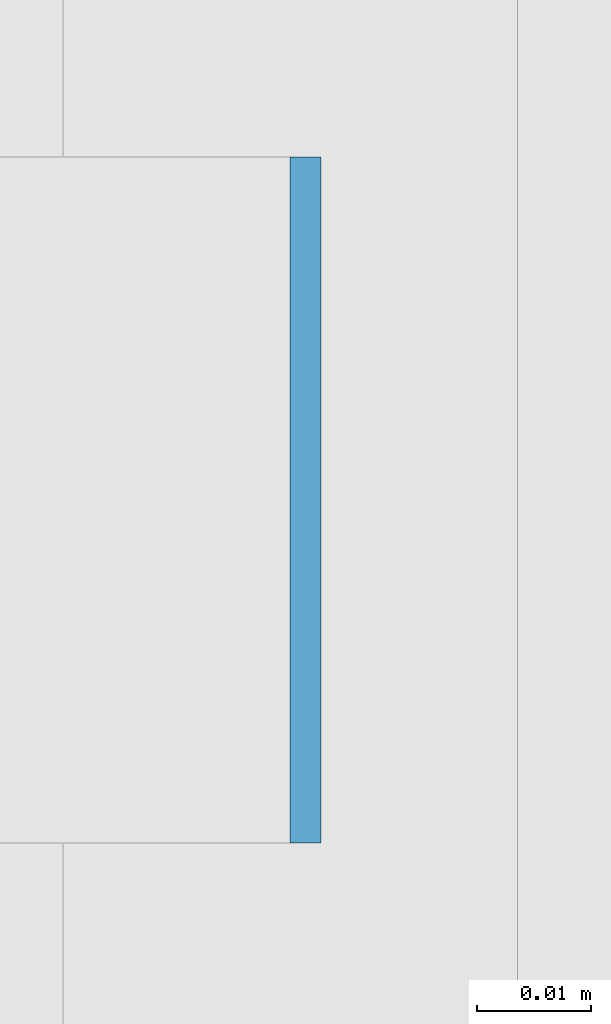
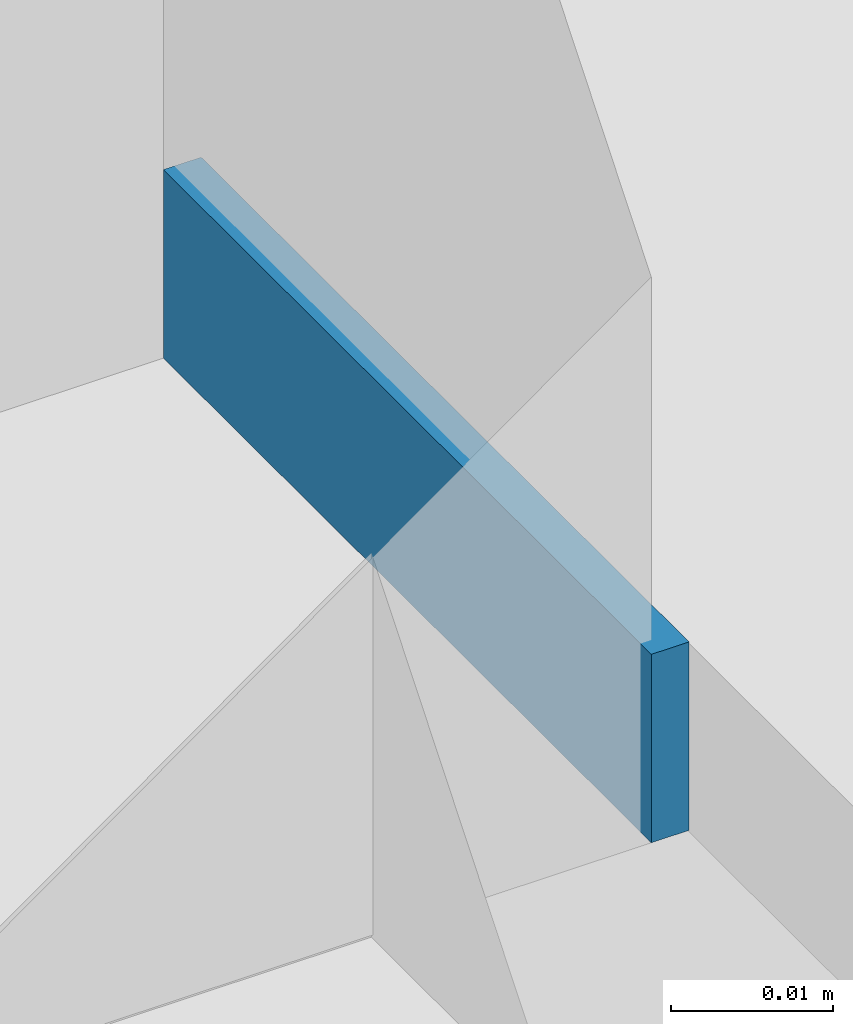
# One storey, part 422 of 646: 1 discrete accessory.
"""IFC4 building model written with IfcOpenShell, lengths in metres."""

import ifcopenshell
import ifcopenshell.guid

model = None  # the IFC model being written
_history = None  # IfcOwnerHistory: only IFC2X3 demands one
_inside = {}  # id of a spatial element -> (the spatial element, [elements in it])
_under = {}  # id of a project, library or spatial element -> (it, [spatial elements below it])
_declared = {}  # id of a project -> (the project, [libraries it declares])
_typed = {}  # id of a type object -> (the type object, [elements of that type])
_made_of = {}  # id of a material, layer set ... -> (it, [elements and type objects made of it])


def new_model(schema):
    """Start an empty IFC model of exactly this schema.

    Asked for "IFC4X3", IfcOpenShell would pick the latest addendum, in which some entities
    have other attributes; the version numbers below select the first issue.
    IFC2X3 requires an IfcOwnerHistory on every rooted entity: one is made here for all.
    """
    global model, _history
    if schema == "IFC4X3":
        model = ifcopenshell.file(schema_version=(4, 3, 0, 0))
    else:
        model = ifcopenshell.file(schema=schema)
    _inside.clear()
    _under.clear()
    _declared.clear()
    _typed.clear()
    _made_of.clear()
    _history = None
    if model.schema == "IFC2X3":
        org = make("IfcOrganization", Name="unknown")
        user = make(
            "IfcPersonAndOrganization",
            ThePerson=make("IfcPerson", FamilyName="unknown"),
            TheOrganization=org,
        )
        app = make(
            "IfcApplication",
            ApplicationDeveloper=org,
            Version="unknown",
            ApplicationFullName="unknown",
            ApplicationIdentifier="unknown",
        )
        _history = make(
            "IfcOwnerHistory",
            OwningUser=user,
            OwningApplication=app,
            ChangeAction="ADDED",
            CreationDate=0,
        )
    return model


def make(cls, **values):
    """One entity of the class cls with the attributes given. An attribute that is None is left unset."""
    return model.create_entity(
        cls, **{name: value for name, value in values.items() if value is not None}
    )


def rooted(cls, **values):
    """An entity with a GlobalId (a new one), such as an element, a storey or a relation."""
    return make(cls, GlobalId=ifcopenshell.guid.new(), OwnerHistory=_history, **values)


def si_unit(unit_type, name, prefix=None):
    """IfcSIUnit, for example si_unit("LENGTHUNIT", "METRE", prefix="MILLI")."""
    return make("IfcSIUnit", UnitType=unit_type, Prefix=prefix, Name=name)


def assignment(units):
    """IfcUnitAssignment: the units of a project."""
    return None if units is None else make("IfcUnitAssignment", Units=units)


def point(xyz):
    """IfcCartesianPoint."""
    return None if xyz is None else make("IfcCartesianPoint", Coordinates=xyz)


def direction(xyz):
    """IfcDirection."""
    return None if xyz is None else make("IfcDirection", DirectionRatios=xyz)


def frame(location, z_axis=None, x_axis=None):
    """IfcAxis2Placement3D, a coordinate frame: its origin and axes. An axis left out is left unset."""
    return make(
        "IfcAxis2Placement3D",
        Location=point(location),
        Axis=direction(z_axis),
        RefDirection=direction(x_axis),
    )


def frame_2d(location, x_axis=None):
    """IfcAxis2Placement2D, a coordinate frame in the plane: its origin and x axis."""
    return make(
        "IfcAxis2Placement2D", Location=point(location), RefDirection=direction(x_axis)
    )


def origin():
    """The frame at (0, 0, 0) with its axes left unset."""
    return frame((0.0, 0.0, 0.0))


def origin_2d():
    """The frame at (0, 0) in the plane with its x axis left unset."""
    return frame_2d((0.0, 0.0))


def place(relative_to, where):
    """IfcLocalPlacement: puts the frame where relative to a parent placement (None: the world)."""
    return make(
        "IfcLocalPlacement", PlacementRelTo=relative_to, RelativePlacement=where
    )


def context(
    kind, dimensions, precision=None, world=None, true_north=None, identifier=None
):
    """IfcGeometricRepresentationContext, for example the 3D "Model" context."""
    return make(
        "IfcGeometricRepresentationContext",
        ContextIdentifier=identifier,
        ContextType=kind,
        CoordinateSpaceDimension=dimensions,
        Precision=precision,
        WorldCoordinateSystem=world,
        TrueNorth=true_north,
    )


def subcontext(parent, identifier, kind, view, scale=None):
    """IfcGeometricRepresentationSubContext, for example "Body" below "Model"."""
    return make(
        "IfcGeometricRepresentationSubContext",
        ContextIdentifier=identifier,
        ContextType=kind,
        ParentContext=parent,
        TargetScale=scale,
        TargetView=view,
    )


def project(units=None, contexts=None):
    """IfcProject with its units and contexts."""
    return rooted(
        "IfcProject",
        Name="project",
        RepresentationContexts=contexts,
        UnitsInContext=assignment(units),
    )


def spatial(cls, under=None, at=None, **own):
    """A site, building, storey or space (cls), placed at a placement, below another one or the project."""
    s = rooted(cls, ObjectPlacement=at, **own)
    if under is not None:
        _under.setdefault(under.id(), (under, []))[1].append(s)
    return s


def profile(cls, at=None, kind="AREA", **sizes):
    """A parametric profile (cls). Its sizes go by their IFC names, for example OverallWidth=200.0."""
    return make(cls, ProfileType=kind, Position=at, **sizes)


def rectangle(**sizes):
    """IfcRectangleProfileDef."""
    return profile("IfcRectangleProfileDef", **sizes)


def extrude(swept, where, along, depth):
    """IfcExtrudedAreaSolid: the profile swept, set in the frame where, extruded along a direction by depth."""
    return make(
        "IfcExtrudedAreaSolid",
        SweptArea=swept,
        Position=where,
        ExtrudedDirection=direction(along),
        Depth=depth,
    )


def shape(context_of_items, identifier, shape_type, items):
    """IfcShapeRepresentation: the items that make up one representation, for example the "Body"."""
    return make(
        "IfcShapeRepresentation",
        ContextOfItems=context_of_items,
        RepresentationIdentifier=identifier,
        RepresentationType=shape_type,
        Items=items,
    )


def material(Name=None, Category=None):
    """IfcMaterial."""
    return make("IfcMaterial", Name=Name, Category=Category)


def made_of(thing, what):
    """Note that an element or type object is made of a material, layer set ...; save() writes the relation."""
    if what is not None:
        _made_of.setdefault(what.id(), (what, []))[1].append(thing)
    return thing


def type_object(cls, material=None, **own):
    """A type object (cls), such as IfcWallType, which elements share."""
    return made_of(rooted(cls, **own), material)


def element(
    cls,
    number,
    at=None,
    inside=None,
    cuts=None,
    type_object=None,
    material=None,
    context=None,
    identifier="Body",
    shape_type=None,
    held_by="IfcProductDefinitionShape",
    body=None,
    shapes=None,
    **own,
):
    """One element of the class cls, such as IfcWall. Its Tag is "e" and its number.

    at: its placement. inside: the storey or other place that contains it. cuts: it is an
    opening in that element (IfcRelVoidsElement). A single representation is given by context,
    identifier, shape_type and body (its items); several are given by shapes. held_by: the class
    of the entity that holds the representations. save() writes the other relations.
    """
    e = rooted(cls, Tag="e%d" % number, ObjectPlacement=at, **own)
    if body is not None:
        shapes = [shape(context, identifier, shape_type, body)]
    if shapes is not None:
        e.Representation = make(held_by, Representations=shapes)
    if inside is not None:
        _inside.setdefault(inside.id(), (inside, []))[1].append(e)
    if cuts is not None:
        rooted(
            "IfcRelVoidsElement", RelatingBuildingElement=cuts, RelatedOpeningElement=e
        )
    if type_object is not None:
        _typed.setdefault(type_object.id(), (type_object, []))[1].append(e)
    return made_of(e, material)


def aggregate(whole, parts):
    """IfcRelAggregates: a whole, such as a stair, and the parts it consists of."""
    return rooted("IfcRelAggregates", RelatingObject=whole, RelatedObjects=parts)


def save(model, path):
    """Write the relations noted so far, then the file.

    IfcRelAggregates (storeys below a building ...), IfcRelContainedInSpatialStructure (elements
    in a storey), IfcRelDefinesByType, IfcRelAssociatesMaterial and IfcRelDeclares: one each for
    every whole, place, type object, material and project.
    """
    for whole, parts in _under.values():
        aggregate(whole, parts)
    for where, things in _inside.values():
        rooted(
            "IfcRelContainedInSpatialStructure",
            RelatedElements=things,
            RelatingStructure=where,
        )
    for kind, things in _typed.values():
        rooted("IfcRelDefinesByType", RelatedObjects=things, RelatingType=kind)
    for what, things in _made_of.values():
        rooted("IfcRelAssociatesMaterial", RelatedObjects=things, RelatingMaterial=what)
    for by, libraries in _declared.values():
        rooted("IfcRelDeclares", RelatingContext=by, RelatedDefinitions=libraries)
    model.write(path)


model = new_model("IFC4")

# Units and contexts
model_context = context("Model", 3, precision=1e-05, world=origin(), true_north=direction((0.0, 1.0)))
body_context = subcontext(model_context, "Body", "Model", "MODEL_VIEW")
ifc_project = project(units=[si_unit("LENGTHUNIT", "METRE"), si_unit("AREAUNIT", "SQUARE_METRE"), si_unit("VOLUMEUNIT", "CUBIC_METRE"), si_unit("PLANEANGLEUNIT", "RADIAN"), si_unit("MASSUNIT", "GRAM", prefix="KILO")], contexts=[model_context])

# Site, building, storey
site_placement = place(None, origin())
site = spatial("IfcSite", under=ifc_project, at=site_placement, CompositionType="ELEMENT")
building_placement = place(site_placement, origin())
building = spatial("IfcBuilding", under=site, at=building_placement, Name="Silverbay Arena", CompositionType="ELEMENT")
storey_placement = place(building_placement, frame((0.0, 0.0, 33.5)))
storey = spatial("IfcBuildingStorey", under=building, at=storey_placement, Name="L05", CompositionType="ELEMENT", Elevation=33.5)

# Discrete accessory
ifc_material = material(Name="Steel S355", Category="steel")
discrete_accessory_type = type_object("IfcDiscreteAccessoryType", Name="Steel bracket plate", PredefinedType="BRACKET", material=ifc_material)
discrete_accessory_placement = place(storey_placement, frame((53.871337890625, 131.7333984375, 4.0), z_axis=(0.0, 0.0, 1.0), x_axis=(1.0, 0.0, 0.0)))
element("IfcDiscreteAccessory", 1, at=discrete_accessory_placement, inside=storey, type_object=discrete_accessory_type, Name="Curtain wall packing plate", PredefinedType="BRACKET", context=body_context, shape_type="SweptSolid", body=[
    extrude(rectangle(XDim=0.002685546875, YDim=0.06005859375, at=origin_2d()), origin(), (0.0, 0.0, 1.0), 0.01416015625),
])

save(model, "model.ifc")
